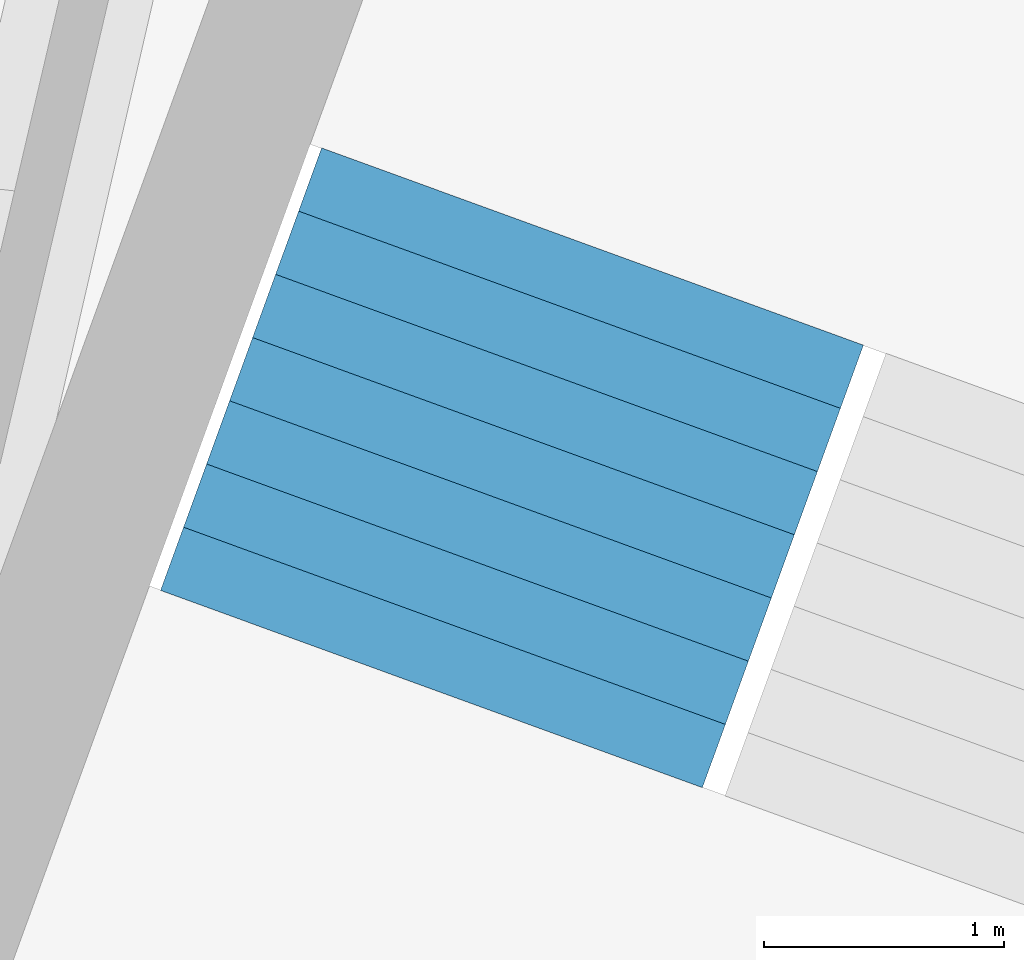
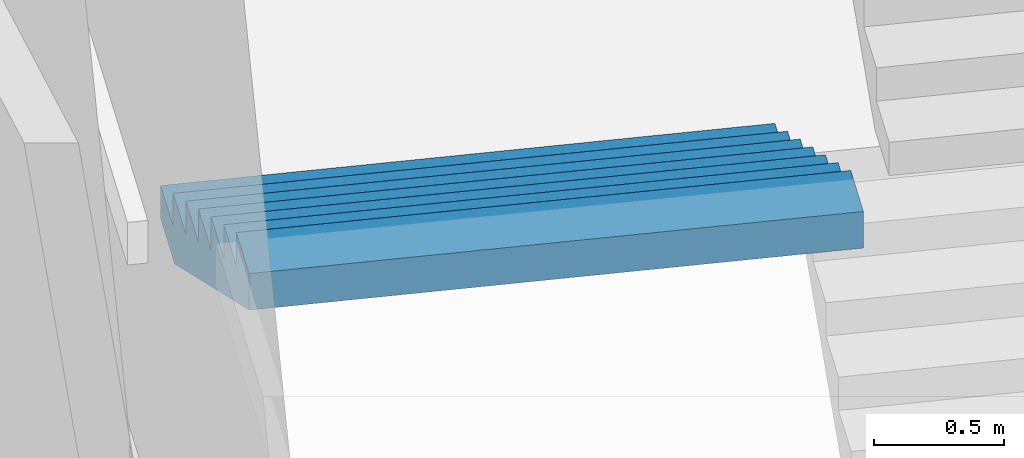
# One storey, part 45 of 73: 1 stair flight, 1 element without a shape of its own.
"""IFC4 building model written with IfcOpenShell, lengths in metres."""

from ifc_helpers import new_model, si_unit, direction, frame, origin, place, context, subcontext, project, spatial, triangles, material, type_object, element, aggregate, save


model = new_model("IFC4")

# Units and contexts
model_context = context("Model", 3, precision=1e-05, world=origin(), true_north=direction((0.0, 1.0)))
body_context = subcontext(model_context, "Body", "Model", "MODEL_VIEW")
ifc_project = project(units=[si_unit("LENGTHUNIT", "METRE"), si_unit("AREAUNIT", "SQUARE_METRE"), si_unit("VOLUMEUNIT", "CUBIC_METRE"), si_unit("PLANEANGLEUNIT", "RADIAN"), si_unit("MASSUNIT", "GRAM", prefix="KILO")], contexts=[model_context])

# Site, building, storey
site_placement = place(None, origin())
site = spatial("IfcSite", under=ifc_project, at=site_placement, CompositionType="ELEMENT")
building_placement = place(site_placement, origin())
building = spatial("IfcBuilding", under=site, at=building_placement, Name="Lantaw Convention Tower", CompositionType="ELEMENT")
storey_placement = place(building_placement, frame((0.0, 0.0, 22.0)))
storey = spatial("IfcBuildingStorey", under=building, at=storey_placement, Name="L03", CompositionType="ELEMENT", Elevation=22.0)

# Stair, stair flight
ifc_material = material(Name="Concrete C35/45", Category="concrete")
stair_type = type_object("IfcStairType", Name="Exit stair 2400 riser 156.25 in 4 flights", PredefinedType="HALF_TURN_STAIR", material=ifc_material)
stair_placement = place(storey_placement, origin())
stair = element("IfcStair", 1, at=stair_placement, inside=storey, type_object=stair_type, Name="Podium exit stair P5 L03", PredefinedType="HALF_TURN_STAIR")
stair_flight_type = type_object("IfcStairFlightType", Name="Stair flight 2400 riser 156.25", PredefinedType="STRAIGHT", material=ifc_material)
stair_flight_placement = place(storey_placement, frame((8.79736328125, 27.825439453125, 1.25), z_axis=(0.0, 0.0, 1.0), x_axis=(-0.342020143326, -0.939692620786, 0.0)))
stair_flight = element("IfcStairFlight", 2, at=stair_flight_placement, type_object=stair_flight_type, Name="P5 flight 2", NumberOfRisers=8, NumberOfTreads=7, PredefinedType="STRAIGHT", RiserHeight=0.15625, TreadLength=0.28, context=body_context, shape_type="Tessellation", body=[
    triangles([(0.0, 1.199951171875, 0.0), (0.0, 1.199951171875, 0.15625), (0.28, 1.199951171875, 0.0), (0.28, 1.199951171875, 0.15625), (0.28, 1.199951171875, 0.3125), (0.3076200632058044, 1.199951171875, 0.0), (0.3076200632058044, 1.199951171875, 0.3125), (0.56, 1.199951171875, 0.14083701830033238), (0.56, 1.199951171875, 0.3125), (0.56, 1.199951171875, 0.46875), (0.8400000000000001, 1.199951171875, 0.29708701830033235), (0.8400000000000001, 1.199951171875, 0.46875), (0.8400000000000001, 1.199951171875, 0.625), (1.12, 1.199951171875, 0.45333701830033235), (1.12, 1.199951171875, 0.625), (1.12, 1.199951171875, 0.78125), (1.4000000000000001, 1.199951171875, 0.6095870183003324), (1.4000000000000001, 1.199951171875, 0.78125), (1.4000000000000001, 1.199951171875, 0.9375), (1.6800000000000002, 1.199951171875, 0.7658370183003324), (1.6800000000000002, 1.199951171875, 0.9375), (1.6800000000000002, 1.199951171875, 1.09375), (1.9600000000000002, 1.199951171875, 0.9220870183003324), (1.9600000000000002, 1.199951171875, 1.09375), (0.0, -1.199951171875, 0.0), (0.0, -1.199951171875, 0.15625), (0.28, -1.199951171875, 0.0), (0.28, -1.199951171875, 0.15625), (0.28, -1.199951171875, 0.3125), (0.3076200632058044, -1.199951171875, 0.0), (0.3076200632058044, -1.199951171875, 0.3125), (0.56, -1.199951171875, 0.14083701830033238), (0.56, -1.199951171875, 0.3125), (0.56, -1.199951171875, 0.46875), (0.8400000000000001, -1.199951171875, 0.29708701830033235), (0.8400000000000001, -1.199951171875, 0.46875), (0.8400000000000001, -1.199951171875, 0.625), (1.12, -1.199951171875, 0.45333701830033235), (1.12, -1.199951171875, 0.625), (1.12, -1.199951171875, 0.78125), (1.4000000000000001, -1.199951171875, 0.6095870183003324), (1.4000000000000001, -1.199951171875, 0.78125), (1.4000000000000001, -1.199951171875, 0.9375), (1.6800000000000002, -1.199951171875, 0.7658370183003324), (1.6800000000000002, -1.199951171875, 0.9375), (1.6800000000000002, -1.199951171875, 1.09375), (1.9600000000000002, -1.199951171875, 0.9220870183003324), (1.9600000000000002, -1.199951171875, 1.09375), (0.0, 0.239990234375, 0.15625), (0.0, 0.239990234375, 0.0), (0.0, 0.1919921875, 0.15625), (0.0, 0.1919921875, 0.0), (0.0, 0.143994140625, 0.15625), (0.0, 0.143994140625, 0.0), (0.0, 0.09599609375, 0.15625), (0.0, 0.09599609375, 0.0), (0.0, 0.047998046875, 0.15625), (0.0, 0.047998046875, 0.0), (0.0, 0.0, 0.15625), (0.0, 0.0, 0.0), (0.0, -0.047998046875, 0.15625), (0.0, -0.047998046875, 0.0), (0.0, -0.09599609375, 0.15625), (0.0, -0.09599609375, 0.0), (0.0, -0.143994140625, 0.15625), (0.0, -0.143994140625, 0.0), (0.0, -0.1919921875, 0.15625), (0.0, -0.1919921875, 0.0), (0.0, -0.239990234375, 0.15625), (0.0, -0.239990234375, 0.0), (0.28, 0.239990234375, 0.3125), (0.28, 0.239990234375, 0.15625), (0.28, 0.1919921875, 0.3125), (0.28, 0.1919921875, 0.15625), (0.28, 0.143994140625, 0.3125), (0.28, 0.143994140625, 0.15625), (0.28, 0.09599609375, 0.3125), (0.28, 0.09599609375, 0.15625), (0.28, 0.047998046875, 0.3125), (0.28, 0.047998046875, 0.15625), (0.28, 0.0, 0.3125), (0.28, 0.0, 0.15625), (0.28, -0.047998046875, 0.3125), (0.28, -0.047998046875, 0.15625), (0.28, -0.09599609375, 0.3125), (0.28, -0.09599609375, 0.15625), (0.28, -0.143994140625, 0.3125), (0.28, -0.143994140625, 0.15625), (0.28, -0.1919921875, 0.3125), (0.28, -0.1919921875, 0.15625), (0.28, -0.239990234375, 0.3125), (0.28, -0.239990234375, 0.15625), (0.56, 0.239990234375, 0.46875), (0.56, 0.239990234375, 0.3125), (0.56, 0.1919921875, 0.46875), (0.56, 0.1919921875, 0.3125), (0.56, 0.143994140625, 0.46875), (0.56, 0.143994140625, 0.3125), (0.56, 0.09599609375, 0.46875), (0.56, 0.09599609375, 0.3125), (0.56, 0.047998046875, 0.46875), (0.56, 0.047998046875, 0.3125), (0.56, 0.0, 0.46875), (0.56, 0.0, 0.3125), (0.56, -0.047998046875, 0.46875), (0.56, -0.047998046875, 0.3125), (0.56, -0.09599609375, 0.46875), (0.56, -0.09599609375, 0.3125), (0.56, -0.143994140625, 0.46875), (0.56, -0.143994140625, 0.3125), (0.56, -0.1919921875, 0.46875), (0.56, -0.1919921875, 0.3125), (0.56, -0.239990234375, 0.46875), (0.56, -0.239990234375, 0.3125), (0.8400000000000001, 0.239990234375, 0.625), (0.8400000000000001, 0.239990234375, 0.46875), (0.8400000000000001, 0.1919921875, 0.625), (0.8400000000000001, 0.1919921875, 0.46875), (0.8400000000000001, 0.143994140625, 0.625), (0.8400000000000001, 0.143994140625, 0.46875), (0.8400000000000001, 0.09599609375, 0.625), (0.8400000000000001, 0.09599609375, 0.46875), (0.8400000000000001, 0.047998046875, 0.625), (0.8400000000000001, 0.047998046875, 0.46875), (0.8400000000000001, 0.0, 0.625), (0.8400000000000001, 0.0, 0.46875), (0.8400000000000001, -0.047998046875, 0.625), (0.8400000000000001, -0.047998046875, 0.46875), (0.8400000000000001, -0.09599609375, 0.625), (0.8400000000000001, -0.09599609375, 0.46875), (0.8400000000000001, -0.143994140625, 0.625), (0.8400000000000001, -0.143994140625, 0.46875), (0.8400000000000001, -0.1919921875, 0.625), (0.8400000000000001, -0.1919921875, 0.46875), (0.8400000000000001, -0.239990234375, 0.625), (0.8400000000000001, -0.239990234375, 0.46875), (1.12, 0.239990234375, 0.78125), (1.12, 0.239990234375, 0.625), (1.12, 0.1919921875, 0.78125), (1.12, 0.1919921875, 0.625), (1.12, 0.143994140625, 0.78125), (1.12, 0.143994140625, 0.625), (1.12, 0.09599609375, 0.78125), (1.12, 0.09599609375, 0.625), (1.12, 0.047998046875, 0.78125), (1.12, 0.047998046875, 0.625), (1.12, 0.0, 0.78125), (1.12, 0.0, 0.625), (1.12, -0.047998046875, 0.78125), (1.12, -0.047998046875, 0.625), (1.12, -0.09599609375, 0.78125), (1.12, -0.09599609375, 0.625), (1.12, -0.143994140625, 0.78125), (1.12, -0.143994140625, 0.625), (1.12, -0.1919921875, 0.78125), (1.12, -0.1919921875, 0.625), (1.12, -0.239990234375, 0.78125), (1.12, -0.239990234375, 0.625), (1.4000000000000001, 0.239990234375, 0.9375), (1.4000000000000001, 0.239990234375, 0.78125), (1.4000000000000001, 0.1919921875, 0.9375), (1.4000000000000001, 0.1919921875, 0.78125), (1.4000000000000001, 0.143994140625, 0.9375), (1.4000000000000001, 0.143994140625, 0.78125), (1.4000000000000001, 0.09599609375, 0.9375), (1.4000000000000001, 0.09599609375, 0.78125), (1.4000000000000001, 0.047998046875, 0.9375), (1.4000000000000001, 0.047998046875, 0.78125), (1.4000000000000001, 0.0, 0.9375), (1.4000000000000001, 0.0, 0.78125), (1.4000000000000001, -0.047998046875, 0.9375), (1.4000000000000001, -0.047998046875, 0.78125), (1.4000000000000001, -0.09599609375, 0.9375), (1.4000000000000001, -0.09599609375, 0.78125), (1.4000000000000001, -0.143994140625, 0.9375), (1.4000000000000001, -0.143994140625, 0.78125), (1.4000000000000001, -0.1919921875, 0.9375), (1.4000000000000001, -0.1919921875, 0.78125), (1.4000000000000001, -0.239990234375, 0.9375), (1.4000000000000001, -0.239990234375, 0.78125), (1.6800000000000002, 0.239990234375, 1.09375), (1.6800000000000002, 0.239990234375, 0.9375), (1.6800000000000002, 0.1919921875, 1.09375), (1.6800000000000002, 0.1919921875, 0.9375), (1.6800000000000002, 0.143994140625, 1.09375), (1.6800000000000002, 0.143994140625, 0.9375), (1.6800000000000002, 0.09599609375, 1.09375), (1.6800000000000002, 0.09599609375, 0.9375), (1.6800000000000002, 0.047998046875, 1.09375), (1.6800000000000002, 0.047998046875, 0.9375), (1.6800000000000002, 0.0, 1.09375), (1.6800000000000002, 0.0, 0.9375), (1.6800000000000002, -0.047998046875, 1.09375), (1.6800000000000002, -0.047998046875, 0.9375), (1.6800000000000002, -0.09599609375, 1.09375), (1.6800000000000002, -0.09599609375, 0.9375), (1.6800000000000002, -0.143994140625, 1.09375), (1.6800000000000002, -0.143994140625, 0.9375), (1.6800000000000002, -0.1919921875, 1.09375), (1.6800000000000002, -0.1919921875, 0.9375), (1.6800000000000002, -0.239990234375, 1.09375), (1.6800000000000002, -0.239990234375, 0.9375), (0.3076200632058044, 0.239990234375, 0.3125), (0.3076200632058044, 0.1919921875, 0.3125), (0.3076200632058044, 0.143994140625, 0.3125), (0.3076200632058044, 0.09599609375, 0.3125), (0.3076200632058044, 0.047998046875, 0.3125), (0.3076200632058044, 0.0, 0.3125), (0.3076200632058044, -0.047998046875, 0.3125), (0.3076200632058044, -0.09599609375, 0.3125), (0.3076200632058044, -0.143994140625, 0.3125), (0.3076200632058044, -0.1919921875, 0.3125), (0.3076200632058044, -0.239990234375, 0.3125), (1.9600000000000002, 0.239990234375, 1.09375), (1.9600000000000002, 0.1919921875, 1.09375), (1.9600000000000002, 0.143994140625, 1.09375), (1.9600000000000002, 0.09599609375, 1.09375), (1.9600000000000002, 0.047998046875, 1.09375), (1.9600000000000002, 0.0, 1.09375), (1.9600000000000002, -0.047998046875, 1.09375), (1.9600000000000002, -0.09599609375, 1.09375), (1.9600000000000002, -0.143994140625, 1.09375), (1.9600000000000002, -0.1919921875, 1.09375), (1.9600000000000002, -0.239990234375, 1.09375), (1.9600000000000002, 0.239990234375, 0.9220870183003324), (1.9600000000000002, 0.1919921875, 0.9220870183003324), (1.9600000000000002, 0.143994140625, 0.9220870183003324), (1.9600000000000002, 0.09599609375, 0.9220870183003324), (1.9600000000000002, 0.047998046875, 0.9220870183003324), (1.9600000000000002, 0.0, 0.9220870183003324), (1.9600000000000002, -0.047998046875, 0.9220870183003324), (1.9600000000000002, -0.09599609375, 0.9220870183003324), (1.9600000000000002, -0.143994140625, 0.9220870183003324), (1.9600000000000002, -0.1919921875, 0.9220870183003324), (1.9600000000000002, -0.239990234375, 0.9220870183003324), (1.6800000000000002, 0.239990234375, 0.7658370183003324), (1.6800000000000002, 0.1919921875, 0.7658370183003324), (1.6800000000000002, 0.143994140625, 0.7658370183003324), (1.6800000000000002, 0.09599609375, 0.7658370183003324), (1.6800000000000002, 0.047998046875, 0.7658370183003324), (1.6800000000000002, 0.0, 0.7658370183003324), (1.6800000000000002, -0.047998046875, 0.7658370183003324), (1.6800000000000002, -0.09599609375, 0.7658370183003324), (1.6800000000000002, -0.143994140625, 0.7658370183003324), (1.6800000000000002, -0.1919921875, 0.7658370183003324), (1.6800000000000002, -0.239990234375, 0.7658370183003324), (1.4000000000000001, 0.239990234375, 0.6095870183003324), (1.4000000000000001, 0.1919921875, 0.6095870183003324), (1.4000000000000001, 0.143994140625, 0.6095870183003324), (1.4000000000000001, 0.09599609375, 0.6095870183003324), (1.4000000000000001, 0.047998046875, 0.6095870183003324), (1.4000000000000001, 0.0, 0.6095870183003324), (1.4000000000000001, -0.047998046875, 0.6095870183003324), (1.4000000000000001, -0.09599609375, 0.6095870183003324), (1.4000000000000001, -0.143994140625, 0.6095870183003324), (1.4000000000000001, -0.1919921875, 0.6095870183003324), (1.4000000000000001, -0.239990234375, 0.6095870183003324), (1.12, 0.239990234375, 0.45333701830033235), (1.12, 0.1919921875, 0.45333701830033235), (1.12, 0.143994140625, 0.45333701830033235), (1.12, 0.09599609375, 0.45333701830033235), (1.12, 0.047998046875, 0.45333701830033235), (1.12, 0.0, 0.45333701830033235), (1.12, -0.047998046875, 0.45333701830033235), (1.12, -0.09599609375, 0.45333701830033235), (1.12, -0.143994140625, 0.45333701830033235), (1.12, -0.1919921875, 0.45333701830033235), (1.12, -0.239990234375, 0.45333701830033235), (0.8400000000000001, 0.239990234375, 0.29708701830033235), (0.8400000000000001, 0.1919921875, 0.29708701830033235), (0.8400000000000001, 0.143994140625, 0.29708701830033235), (0.8400000000000001, 0.09599609375, 0.29708701830033235), (0.8400000000000001, 0.047998046875, 0.29708701830033235), (0.8400000000000001, 0.0, 0.29708701830033235), (0.8400000000000001, -0.047998046875, 0.29708701830033235), (0.8400000000000001, -0.09599609375, 0.29708701830033235), (0.8400000000000001, -0.143994140625, 0.29708701830033235), (0.8400000000000001, -0.1919921875, 0.29708701830033235), (0.8400000000000001, -0.239990234375, 0.29708701830033235), (0.56, 0.239990234375, 0.14083701830033238), (0.56, 0.1919921875, 0.14083701830033238), (0.56, 0.143994140625, 0.14083701830033238), (0.56, 0.09599609375, 0.14083701830033238), (0.56, 0.047998046875, 0.14083701830033238), (0.56, 0.0, 0.14083701830033238), (0.56, -0.047998046875, 0.14083701830033238), (0.56, -0.09599609375, 0.14083701830033238), (0.56, -0.143994140625, 0.14083701830033238), (0.56, -0.1919921875, 0.14083701830033238), (0.56, -0.239990234375, 0.14083701830033238), (0.3076200632058044, 0.239990234375, 0.0), (0.3076200632058044, 0.1919921875, 0.0), (0.3076200632058044, 0.143994140625, 0.0), (0.3076200632058044, 0.09599609375, 0.0), (0.3076200632058044, 0.047998046875, 0.0), (0.3076200632058044, 0.0, 0.0), (0.3076200632058044, -0.047998046875, 0.0), (0.3076200632058044, -0.09599609375, 0.0), (0.3076200632058044, -0.143994140625, 0.0), (0.3076200632058044, -0.1919921875, 0.0), (0.3076200632058044, -0.239990234375, 0.0), (0.28, 0.239990234375, 0.0), (0.28, 0.1919921875, 0.0), (0.28, 0.143994140625, 0.0), (0.28, 0.09599609375, 0.0), (0.28, 0.047998046875, 0.0), (0.28, 0.0, 0.0), (0.28, -0.047998046875, 0.0), (0.28, -0.09599609375, 0.0), (0.28, -0.143994140625, 0.0), (0.28, -0.1919921875, 0.0), (0.28, -0.239990234375, 0.0)], [[1, 4, 3], [1, 2, 4], [3, 4, 6], [4, 7, 6], [4, 5, 7], [6, 9, 8], [6, 7, 9], [8, 9, 11], [9, 12, 11], [9, 10, 12], [11, 12, 14], [12, 15, 14], [12, 13, 15], [14, 15, 17], [15, 18, 17], [15, 16, 18], [17, 18, 20], [18, 21, 20], [18, 19, 21], [20, 21, 23], [21, 24, 23], [21, 22, 24], [25, 27, 28], [25, 28, 26], [27, 30, 28], [28, 30, 31], [28, 31, 29], [30, 32, 33], [30, 33, 31], [32, 35, 33], [33, 35, 36], [33, 36, 34], [35, 38, 36], [36, 38, 39], [36, 39, 37], [38, 41, 39], [39, 41, 42], [39, 42, 40], [41, 44, 42], [42, 44, 45], [42, 45, 43], [44, 47, 45], [45, 47, 48], [45, 48, 46], [1, 49, 2], [1, 50, 49], [50, 51, 49], [50, 52, 51], [52, 53, 51], [52, 54, 53], [54, 55, 53], [54, 56, 55], [56, 57, 55], [56, 58, 57], [58, 59, 57], [58, 60, 59], [60, 61, 59], [60, 62, 61], [62, 63, 61], [62, 64, 63], [64, 65, 63], [64, 66, 65], [66, 67, 65], [66, 68, 67], [68, 69, 67], [68, 70, 69], [70, 26, 69], [70, 25, 26], [4, 71, 5], [4, 72, 71], [72, 73, 71], [72, 74, 73], [74, 75, 73], [74, 76, 75], [76, 77, 75], [76, 78, 77], [78, 79, 77], [78, 80, 79], [80, 81, 79], [80, 82, 81], [82, 83, 81], [82, 84, 83], [84, 85, 83], [84, 86, 85], [86, 87, 85], [86, 88, 87], [88, 89, 87], [88, 90, 89], [90, 91, 89], [90, 92, 91], [92, 29, 91], [92, 28, 29], [9, 93, 10], [9, 94, 93], [94, 95, 93], [94, 96, 95], [96, 97, 95], [96, 98, 97], [98, 99, 97], [98, 100, 99], [100, 101, 99], [100, 102, 101], [102, 103, 101], [102, 104, 103], [104, 105, 103], [104, 106, 105], [106, 107, 105], [106, 108, 107], [108, 109, 107], [108, 110, 109], [110, 111, 109], [110, 112, 111], [112, 113, 111], [112, 114, 113], [114, 34, 113], [114, 33, 34], [12, 115, 13], [12, 116, 115], [116, 117, 115], [116, 118, 117], [118, 119, 117], [118, 120, 119], [120, 121, 119], [120, 122, 121], [122, 123, 121], [122, 124, 123], [124, 125, 123], [124, 126, 125], [126, 127, 125], [126, 128, 127], [128, 129, 127], [128, 130, 129], [130, 131, 129], [130, 132, 131], [132, 133, 131], [132, 134, 133], [134, 135, 133], [134, 136, 135], [136, 37, 135], [136, 36, 37], [15, 137, 16], [15, 138, 137], [138, 139, 137], [138, 140, 139], [140, 141, 139], [140, 142, 141], [142, 143, 141], [142, 144, 143], [144, 145, 143], [144, 146, 145], [146, 147, 145], [146, 148, 147], [148, 149, 147], [148, 150, 149], [150, 151, 149], [150, 152, 151], [152, 153, 151], [152, 154, 153], [154, 155, 153], [154, 156, 155], [156, 157, 155], [156, 158, 157], [158, 40, 157], [158, 39, 40], [18, 159, 19], [18, 160, 159], [160, 161, 159], [160, 162, 161], [162, 163, 161], [162, 164, 163], [164, 165, 163], [164, 166, 165], [166, 167, 165], [166, 168, 167], [168, 169, 167], [168, 170, 169], [170, 171, 169], [170, 172, 171], [172, 173, 171], [172, 174, 173], [174, 175, 173], [174, 176, 175], [176, 177, 175], [176, 178, 177], [178, 179, 177], [178, 180, 179], [180, 43, 179], [180, 42, 43], [21, 181, 22], [21, 182, 181], [182, 183, 181], [182, 184, 183], [184, 185, 183], [184, 186, 185], [186, 187, 185], [186, 188, 187], [188, 189, 187], [188, 190, 189], [190, 191, 189], [190, 192, 191], [192, 193, 191], [192, 194, 193], [194, 195, 193], [194, 196, 195], [196, 197, 195], [196, 198, 197], [198, 199, 197], [198, 200, 199], [200, 201, 199], [200, 202, 201], [202, 46, 201], [202, 45, 46], [2, 72, 4], [2, 49, 72], [49, 74, 72], [49, 51, 74], [51, 76, 74], [51, 53, 76], [53, 78, 76], [53, 55, 78], [55, 80, 78], [55, 57, 80], [57, 82, 80], [57, 59, 82], [59, 84, 82], [59, 61, 84], [61, 86, 84], [61, 63, 86], [63, 88, 86], [63, 65, 88], [65, 90, 88], [65, 67, 90], [67, 92, 90], [67, 69, 92], [69, 28, 92], [69, 26, 28], [5, 203, 7], [5, 71, 203], [71, 204, 203], [71, 73, 204], [73, 205, 204], [73, 75, 205], [75, 206, 205], [75, 77, 206], [77, 207, 206], [77, 79, 207], [79, 208, 207], [79, 81, 208], [81, 209, 208], [81, 83, 209], [83, 210, 209], [83, 85, 210], [85, 211, 210], [85, 87, 211], [87, 212, 211], [87, 89, 212], [89, 213, 212], [89, 91, 213], [91, 31, 213], [91, 29, 31], [7, 94, 9], [7, 203, 94], [203, 96, 94], [203, 204, 96], [204, 98, 96], [204, 205, 98], [205, 100, 98], [205, 206, 100], [206, 102, 100], [206, 207, 102], [207, 104, 102], [207, 208, 104], [208, 106, 104], [208, 209, 106], [209, 108, 106], [209, 210, 108], [210, 110, 108], [210, 211, 110], [211, 112, 110], [211, 212, 112], [212, 114, 112], [212, 213, 114], [213, 33, 114], [213, 31, 33], [10, 116, 12], [10, 93, 116], [93, 118, 116], [93, 95, 118], [95, 120, 118], [95, 97, 120], [97, 122, 120], [97, 99, 122], [99, 124, 122], [99, 101, 124], [101, 126, 124], [101, 103, 126], [103, 128, 126], [103, 105, 128], [105, 130, 128], [105, 107, 130], [107, 132, 130], [107, 109, 132], [109, 134, 132], [109, 111, 134], [111, 136, 134], [111, 113, 136], [113, 36, 136], [113, 34, 36], [13, 138, 15], [13, 115, 138], [115, 140, 138], [115, 117, 140], [117, 142, 140], [117, 119, 142], [119, 144, 142], [119, 121, 144], [121, 146, 144], [121, 123, 146], [123, 148, 146], [123, 125, 148], [125, 150, 148], [125, 127, 150], [127, 152, 150], [127, 129, 152], [129, 154, 152], [129, 131, 154], [131, 156, 154], [131, 133, 156], [133, 158, 156], [133, 135, 158], [135, 39, 158], [135, 37, 39], [16, 160, 18], [16, 137, 160], [137, 162, 160], [137, 139, 162], [139, 164, 162], [139, 141, 164], [141, 166, 164], [141, 143, 166], [143, 168, 166], [143, 145, 168], [145, 170, 168], [145, 147, 170], [147, 172, 170], [147, 149, 172], [149, 174, 172], [149, 151, 174], [151, 176, 174], [151, 153, 176], [153, 178, 176], [153, 155, 178], [155, 180, 178], [155, 157, 180], [157, 42, 180], [157, 40, 42], [19, 182, 21], [19, 159, 182], [159, 184, 182], [159, 161, 184], [161, 186, 184], [161, 163, 186], [163, 188, 186], [163, 165, 188], [165, 190, 188], [165, 167, 190], [167, 192, 190], [167, 169, 192], [169, 194, 192], [169, 171, 194], [171, 196, 194], [171, 173, 196], [173, 198, 196], [173, 175, 198], [175, 200, 198], [175, 177, 200], [177, 202, 200], [177, 179, 202], [179, 45, 202], [179, 43, 45], [22, 214, 24], [22, 181, 214], [181, 215, 214], [181, 183, 215], [183, 216, 215], [183, 185, 216], [185, 217, 216], [185, 187, 217], [187, 218, 217], [187, 189, 218], [189, 219, 218], [189, 191, 219], [191, 220, 219], [191, 193, 220], [193, 221, 220], [193, 195, 221], [195, 222, 221], [195, 197, 222], [197, 223, 222], [197, 199, 223], [199, 224, 223], [199, 201, 224], [201, 48, 224], [201, 46, 48], [24, 225, 23], [24, 214, 225], [214, 226, 225], [214, 215, 226], [215, 227, 226], [215, 216, 227], [216, 228, 227], [216, 217, 228], [217, 229, 228], [217, 218, 229], [218, 230, 229], [218, 219, 230], [219, 231, 230], [219, 220, 231], [220, 232, 231], [220, 221, 232], [221, 233, 232], [221, 222, 233], [222, 234, 233], [222, 223, 234], [223, 235, 234], [223, 224, 235], [224, 47, 235], [224, 48, 47], [23, 236, 20], [23, 225, 236], [225, 237, 236], [225, 226, 237], [226, 238, 237], [226, 227, 238], [227, 239, 238], [227, 228, 239], [228, 240, 239], [228, 229, 240], [229, 241, 240], [229, 230, 241], [230, 242, 241], [230, 231, 242], [231, 243, 242], [231, 232, 243], [232, 244, 243], [232, 233, 244], [233, 245, 244], [233, 234, 245], [234, 246, 245], [234, 235, 246], [235, 44, 246], [235, 47, 44], [20, 247, 17], [20, 236, 247], [236, 248, 247], [236, 237, 248], [237, 249, 248], [237, 238, 249], [238, 250, 249], [238, 239, 250], [239, 251, 250], [239, 240, 251], [240, 252, 251], [240, 241, 252], [241, 253, 252], [241, 242, 253], [242, 254, 253], [242, 243, 254], [243, 255, 254], [243, 244, 255], [244, 256, 255], [244, 245, 256], [245, 257, 256], [245, 246, 257], [246, 41, 257], [246, 44, 41], [17, 258, 14], [17, 247, 258], [247, 259, 258], [247, 248, 259], [248, 260, 259], [248, 249, 260], [249, 261, 260], [249, 250, 261], [250, 262, 261], [250, 251, 262], [251, 263, 262], [251, 252, 263], [252, 264, 263], [252, 253, 264], [253, 265, 264], [253, 254, 265], [254, 266, 265], [254, 255, 266], [255, 267, 266], [255, 256, 267], [256, 268, 267], [256, 257, 268], [257, 38, 268], [257, 41, 38], [14, 269, 11], [14, 258, 269], [258, 270, 269], [258, 259, 270], [259, 271, 270], [259, 260, 271], [260, 272, 271], [260, 261, 272], [261, 273, 272], [261, 262, 273], [262, 274, 273], [262, 263, 274], [263, 275, 274], [263, 264, 275], [264, 276, 275], [264, 265, 276], [265, 277, 276], [265, 266, 277], [266, 278, 277], [266, 267, 278], [267, 279, 278], [267, 268, 279], [268, 35, 279], [268, 38, 35], [11, 280, 8], [11, 269, 280], [269, 281, 280], [269, 270, 281], [270, 282, 281], [270, 271, 282], [271, 283, 282], [271, 272, 283], [272, 284, 283], [272, 273, 284], [273, 285, 284], [273, 274, 285], [274, 286, 285], [274, 275, 286], [275, 287, 286], [275, 276, 287], [276, 288, 287], [276, 277, 288], [277, 289, 288], [277, 278, 289], [278, 290, 289], [278, 279, 290], [279, 32, 290], [279, 35, 32], [8, 291, 6], [8, 280, 291], [280, 292, 291], [280, 281, 292], [281, 293, 292], [281, 282, 293], [282, 294, 293], [282, 283, 294], [283, 295, 294], [283, 284, 295], [284, 296, 295], [284, 285, 296], [285, 297, 296], [285, 286, 297], [286, 298, 297], [286, 287, 298], [287, 299, 298], [287, 288, 299], [288, 300, 299], [288, 289, 300], [289, 301, 300], [289, 290, 301], [290, 30, 301], [290, 32, 30], [6, 302, 3], [6, 291, 302], [291, 303, 302], [291, 292, 303], [292, 304, 303], [292, 293, 304], [293, 305, 304], [293, 294, 305], [294, 306, 305], [294, 295, 306], [295, 307, 306], [295, 296, 307], [296, 308, 307], [296, 297, 308], [297, 309, 308], [297, 298, 309], [298, 310, 309], [298, 299, 310], [299, 311, 310], [299, 300, 311], [300, 312, 311], [300, 301, 312], [301, 27, 312], [301, 30, 27], [3, 50, 1], [3, 302, 50], [302, 52, 50], [302, 303, 52], [303, 54, 52], [303, 304, 54], [304, 56, 54], [304, 305, 56], [305, 58, 56], [305, 306, 58], [306, 60, 58], [306, 307, 60], [307, 62, 60], [307, 308, 62], [308, 64, 62], [308, 309, 64], [309, 66, 64], [309, 310, 66], [310, 68, 66], [310, 311, 68], [311, 70, 68], [311, 312, 70], [312, 25, 70], [312, 27, 25]], closed=True),
])
aggregate(stair, [stair_flight])

save(model, "model.ifc")
